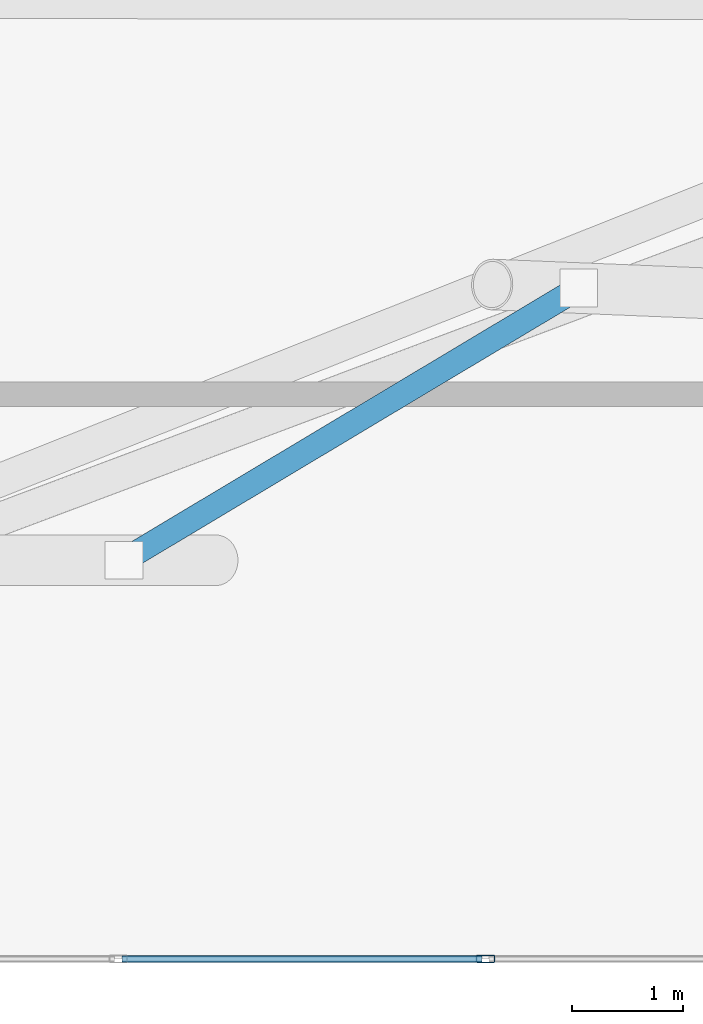
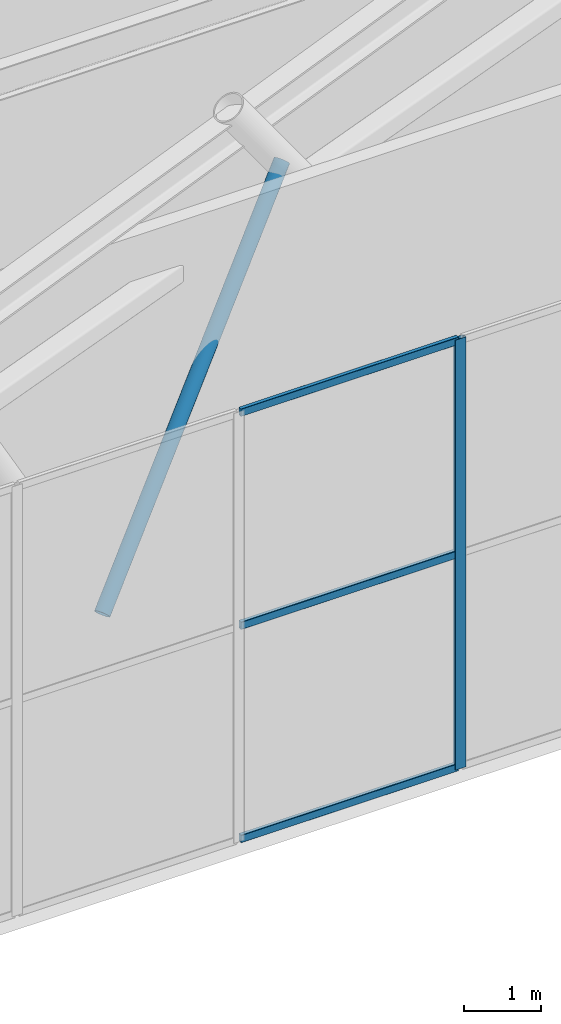
# One storey, part 9 of 24: 5 members, 1 element without a shape of its own.
"""IFC4 building model written with IfcOpenShell, lengths in metres."""

from ifc_helpers import new_model, si_unit, direction, frame, origin, origin_2d, place, context, subcontext, project, spatial, hollow_rectangle, hollow_circle, extrude, material, layer, layer_set, material_profile, profile_set, type_object, element, aggregate, save


model = new_model("IFC4")

# Units and contexts
model_context = context("Model", 3, precision=1e-05, world=origin(), true_north=direction((0.0, 1.0)))
body_context = subcontext(model_context, "Body", "Model", "MODEL_VIEW")
ifc_project = project(units=[si_unit("LENGTHUNIT", "METRE"), si_unit("AREAUNIT", "SQUARE_METRE"), si_unit("VOLUMEUNIT", "CUBIC_METRE"), si_unit("PLANEANGLEUNIT", "RADIAN"), si_unit("MASSUNIT", "GRAM", prefix="KILO")], contexts=[model_context])

# Site, building, storey
site_placement = place(None, origin())
site = spatial("IfcSite", under=ifc_project, at=site_placement, CompositionType="ELEMENT")
building_placement = place(site_placement, origin())
building = spatial("IfcBuilding", under=site, at=building_placement, Name="An Khanh Terracotta Commons", CompositionType="ELEMENT")
storey_placement = place(building_placement, frame((0.0, 0.0, 315.199951171875)))
storey = spatial("IfcBuildingStorey", under=building, at=storey_placement, Name="L80 Crown Cooling Plant", CompositionType="ELEMENT", Elevation=315.199951171875)

# Member
ifc_material_1 = material(Name="Steel S460ML", Category="steel")
ifc_material_profile_1 = material_profile(ifc_material_1, hollow_circle(Radius=0.109619140625, WallThickness=0.010009765625, at=origin_2d()), Name="CHS219.1x10")
ifc_profile_set_1 = profile_set([ifc_material_profile_1], Name="Steel S460ML")
member_type_1 = type_object("IfcMemberType", Name="CROWN FRAME BRACE CHS219", PredefinedType="BRACE", material=ifc_profile_set_1)
member_1_placement = place(storey_placement, frame((47.260986328125, 15.199951171875, 1.385009765625), z_axis=(0.642132295007, 0.38440884446, 0.663246527326), x_axis=(-0.513640212742, 0.858005671225, 0.0)))
element("IfcMember", 1, at=member_1_placement, inside=storey, type_object=member_type_1, Name="L80 Crown Cooling Plant CROWN FRAME Wind Diagonal 2", PredefinedType="BRACE", context=body_context, shape_type="SweptSolid", body=[
    extrude(hollow_circle(Radius=0.109619140625, WallThickness=0.010009765625, at=origin_2d()), origin(), (0.0, 0.0, 1.0), 6.394287109375),
])

# Curtain wall, members
ifc_material_2 = material(Name="Anodised Aluminium 6063-T6", Category="aluminium")
ifc_layer = layer(ifc_material_2, 0.18994140625, Name="Anodised Aluminium 6063-T6")
ifc_layer_set = layer_set([ifc_layer], Name="Anodised Aluminium 6063-T6")
curtain_wall_type = type_object("IfcCurtainWallType", Name="CW-SYS-06", PredefinedType="USERDEFINED", material=ifc_layer_set)
curtain_wall_placement = place(storey_placement, origin())
curtain_wall = element("IfcCurtainWall", 2, at=curtain_wall_placement, inside=storey, type_object=curtain_wall_type, Name="L80 Crown Cooling Plant CW-06 Unitised Curtain Wall CW-L80-04", ObjectType="UNITISED CURTAIN WALL", PredefinedType="USERDEFINED")
ifc_material_profile_2 = material_profile(ifc_material_2, hollow_rectangle(XDim=0.06494140625, YDim=0.1650390625, WallThickness=0.00390625, InnerFilletRadius=0.00390625, OuterFilletRadius=0.008056640625, at=origin_2d()), Name="RHS165x65x4")
ifc_profile_set_2 = profile_set([ifc_material_profile_2], Name="Anodised Aluminium 6063-T6")
member_type_2 = type_object("IfcMemberType", Name="CWM-RHS165x65x4", PredefinedType="MULLION", material=ifc_profile_set_2)
member_2_placement = place(storey_placement, frame((50.525390625, 11.60009765625, 0.0), z_axis=(0.0, 0.0, 1.0), x_axis=(0.0, 1.0, 0.0)))
member_2 = element("IfcMember", 3, at=member_2_placement, type_object=member_type_2, Name="CW-06 mullion 9", PredefinedType="MULLION", context=body_context, shape_type="SweptSolid", body=[
    extrude(hollow_rectangle(XDim=0.06494140625, YDim=0.1650390625, WallThickness=0.00390625, InnerFilletRadius=0.00390625, OuterFilletRadius=0.008056640625, at=origin_2d()), origin(), (0.0, 0.0, 1.0), 6.800048828125),
])
ifc_material_profile_3 = material_profile(ifc_material_2, hollow_rectangle(XDim=0.06005859375, YDim=0.1201171875, WallThickness=0.003662109375, InnerFilletRadius=0.003662109375, OuterFilletRadius=0.007080078125, at=origin_2d()), Name="RHS120x60x3.6")
ifc_profile_set_3 = profile_set([ifc_material_profile_3], Name="Anodised Aluminium 6063-T6")
member_type_3 = type_object("IfcMemberType", Name="CWT-RHS120x60x3.6", PredefinedType="USERDEFINED", material=ifc_profile_set_3)
member_3_placement = place(storey_placement, frame((47.2421875, 11.60009765625, 0.030029296875), z_axis=(1.0, 0.0, 0.0), x_axis=(0.0, 1.0, 0.0)))
member_3 = element("IfcMember", 4, at=member_3_placement, type_object=member_type_3, Name="CW-06 transom 8.1", ObjectType="TRANSOM", PredefinedType="USERDEFINED", context=body_context, shape_type="SweptSolid", body=[
    extrude(hollow_rectangle(XDim=0.06005859375, YDim=0.1201171875, WallThickness=0.003662109375, InnerFilletRadius=0.003662109375, OuterFilletRadius=0.007080078125, at=origin_2d()), origin(), (0.0, 0.0, 1.0), 3.250732421875),
])
member_4_placement = place(storey_placement, frame((47.2421875, 11.60009765625, 3.400146484375), z_axis=(1.0, 0.0, 0.0), x_axis=(0.0, 1.0, 0.0)))
member_4 = element("IfcMember", 5, at=member_4_placement, type_object=member_type_3, Name="CW-06 transom 8.2", ObjectType="TRANSOM", PredefinedType="USERDEFINED", context=body_context, shape_type="SweptSolid", body=[
    extrude(hollow_rectangle(XDim=0.06005859375, YDim=0.1201171875, WallThickness=0.003662109375, InnerFilletRadius=0.003662109375, OuterFilletRadius=0.007080078125, at=origin_2d()), origin(), (0.0, 0.0, 1.0), 3.250732421875),
])
member_5_placement = place(storey_placement, frame((47.2421875, 11.60009765625, 6.77001953125), z_axis=(1.0, 0.0, 0.0), x_axis=(0.0, 1.0, 0.0)))
member_5 = element("IfcMember", 6, at=member_5_placement, type_object=member_type_3, Name="CW-06 transom 8.3", ObjectType="TRANSOM", PredefinedType="USERDEFINED", context=body_context, shape_type="SweptSolid", body=[
    extrude(hollow_rectangle(XDim=0.06005859375, YDim=0.1201171875, WallThickness=0.003662109375, InnerFilletRadius=0.003662109375, OuterFilletRadius=0.007080078125, at=origin_2d()), origin(), (0.0, 0.0, 1.0), 3.250732421875),
])
aggregate(curtain_wall, [member_2, member_3, member_4, member_5])

save(model, "model.ifc")
